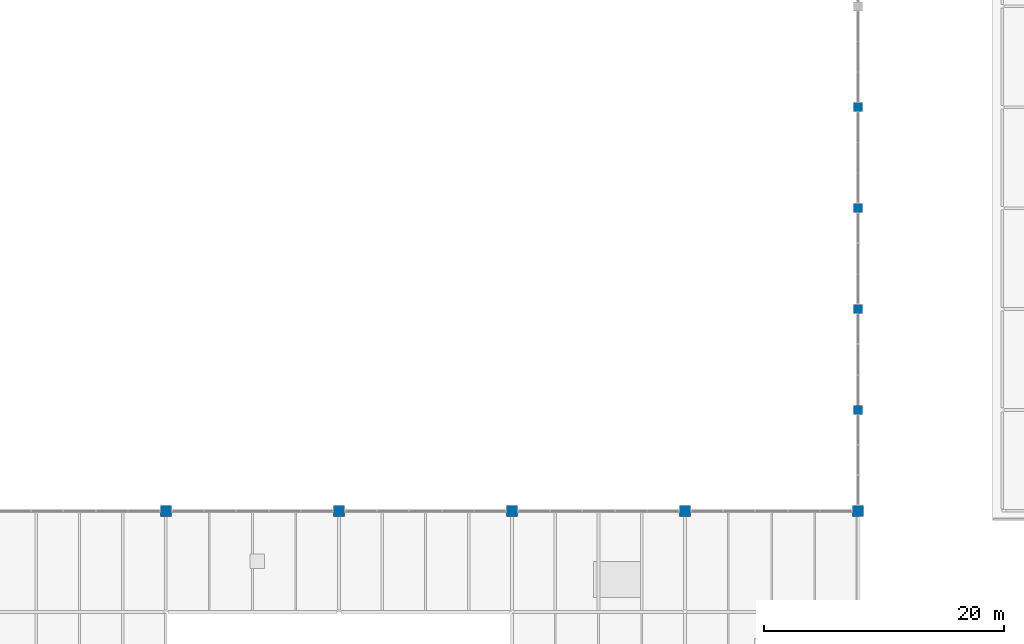
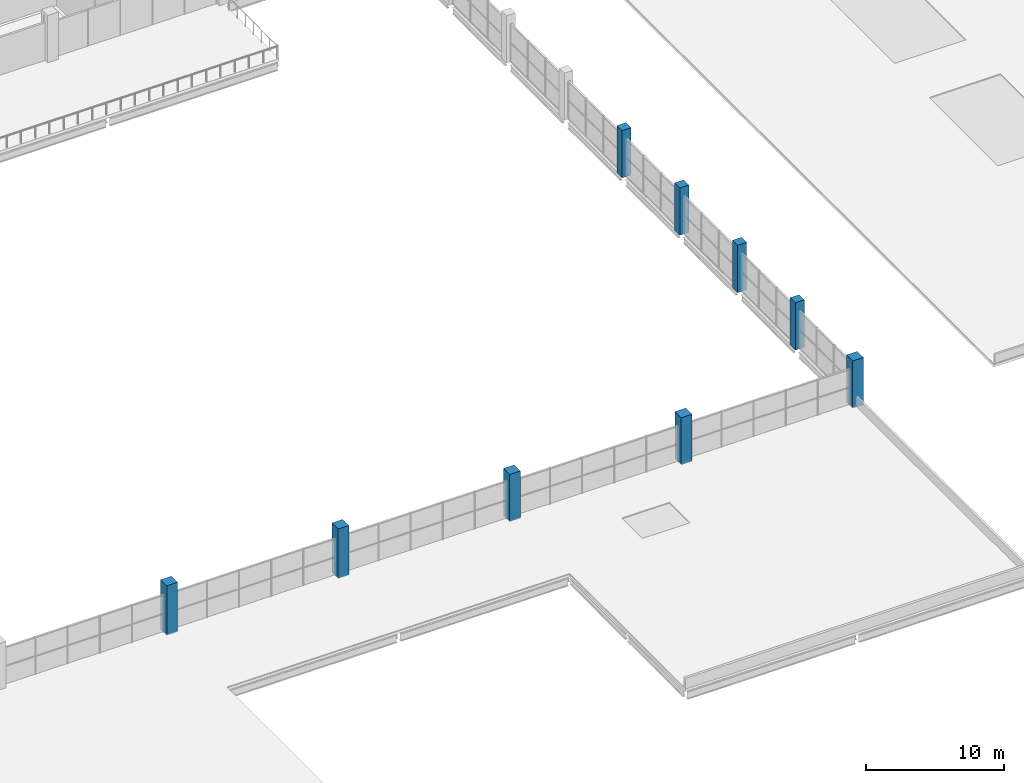
# One storey, part 3 of 93: 9 columns.
"""IFC4 building model written with IfcOpenShell, lengths in metres."""

from ifc_helpers import new_model, si_unit, direction, frame, origin, origin_2d, place, context, subcontext, project, spatial, rectangle, extrude, material, material_profile, profile_set, type_object, element, save


model = new_model("IFC4")

# Units and contexts
model_context = context("Model", 3, precision=1e-05, world=origin(), true_north=direction((0.0, 1.0)))
body_context = subcontext(model_context, "Body", "Model", "MODEL_VIEW")
ifc_project = project(units=[si_unit("LENGTHUNIT", "METRE"), si_unit("AREAUNIT", "SQUARE_METRE"), si_unit("VOLUMEUNIT", "CUBIC_METRE"), si_unit("PLANEANGLEUNIT", "RADIAN"), si_unit("MASSUNIT", "GRAM", prefix="KILO"), si_unit("THERMODYNAMICTEMPERATUREUNIT", "KELVIN")], contexts=[model_context])

# Site, building, storey
site_placement = place(None, origin())
site = spatial("IfcSite", under=ifc_project, at=site_placement, CompositionType="ELEMENT")
building_placement = place(site_placement, origin())
building = spatial("IfcBuilding", under=site, at=building_placement, Name="Nduvali Passage Aquatics Centre", CompositionType="ELEMENT")
storey_placement = place(building_placement, frame((0.0, 0.0, 9.0)))
storey = spatial("IfcBuildingStorey", under=building, at=storey_placement, Name="L02", CompositionType="ELEMENT", Elevation=9.0)

# Columns
ifc_material = material(Name="Concrete C40/50", Category="concrete")
ifc_material_profile_1 = material_profile(ifc_material, rectangle(XDim=0.75, YDim=0.75, at=origin_2d()), Name="RC 750x750")
ifc_profile_set_1 = profile_set([ifc_material_profile_1], Name="Concrete C40/50")
column_type_1 = type_object("IfcColumnType", Name="STR-COL-RC750-EXT", PredefinedType="COLUMN", material=ifc_profile_set_1)
for number, where, z_axis, x_axis, name in (
    (1, (126.0, 33.60009765625, 0.0), (0.0, 0.0, 1.0), (1.0, 0.0, 0.0), "L02 Column C2E (126.0, 33.6)"),
    (2, (126.0, 42.0, 0.0), (0.0, 0.0, 1.0), (1.0, 0.0, 0.0), "L02 Column C2E (126.0, 42.0)"),
    (3, (126.0, 50.39990234375, 0.0), (0.0, 0.0, 1.0), (1.0, 0.0, 0.0), "L02 Column C2E (126.0, 50.4)"),
    (4, (126.0, 58.800048828125, 0.0), (0.0, 0.0, 1.0), (1.0, 0.0, 0.0), "L02 Column C2E (126.0, 58.8)"),
):
    element("IfcColumn", number, at=place(storey_placement, frame(where, z_axis=z_axis, x_axis=x_axis)), inside=storey, type_object=column_type_1, Name=name, PredefinedType="COLUMN", context=body_context, shape_type="SweptSolid", body=[
        extrude(rectangle(XDim=0.75, YDim=0.75, at=origin_2d()), origin(), (0.0, 0.0, 1.0), 4.199951171875),
    ])
ifc_material_profile_2 = material_profile(ifc_material, rectangle(XDim=0.89990234375, YDim=0.89990234375, at=origin_2d()), Name="RC 900x900")
ifc_profile_set_2 = profile_set([ifc_material_profile_2], Name="Concrete C40/50")
column_type_2 = type_object("IfcColumnType", Name="STR-COL-RC900-EXT", PredefinedType="COLUMN", material=ifc_profile_set_2)
for number, where, z_axis, x_axis, name in (
    (5, (68.39990234375, 25.199951171875, 0.0), (0.0, 0.0, 1.0), (1.0, 0.0, 0.0), "L02 Column C1E (68.4, 25.2)"),
    (6, (82.800048828125, 25.199951171875, 0.0), (0.0, 0.0, 1.0), (1.0, 0.0, 0.0), "L02 Column C1E (82.8, 25.2)"),
):
    element("IfcColumn", number, at=place(storey_placement, frame(where, z_axis=z_axis, x_axis=x_axis)), inside=storey, type_object=column_type_2, Name=name, PredefinedType="COLUMN", context=body_context, shape_type="SweptSolid", body=[
        extrude(rectangle(XDim=0.89990234375, YDim=0.89990234375, at=origin_2d()), origin(), (0.0, 0.0, 1.0), 4.402587890625),
    ])
for number, where, z_axis, x_axis, name in (
    (7, (97.199951171875, 25.199951171875, 0.0), (0.0, 0.0, 1.0), (1.0, 0.0, 0.0), "L02 Column C1E (97.2, 25.2)"),
    (8, (111.60009765625, 25.199951171875, 0.0), (0.0, 0.0, 1.0), (1.0, 0.0, 0.0), "L02 Column C1E (111.6, 25.2)"),
    (9, (126.0, 25.199951171875, 0.0), (0.0, 0.0, 1.0), (1.0, 0.0, 0.0), "L02 Column C1E (126.0, 25.2)"),
):
    element("IfcColumn", number, at=place(storey_placement, frame(where, z_axis=z_axis, x_axis=x_axis)), inside=storey, type_object=column_type_2, Name=name, PredefinedType="COLUMN", context=body_context, shape_type="SweptSolid", body=[
        extrude(rectangle(XDim=0.89990234375, YDim=0.89990234375, at=origin_2d()), origin(), (0.0, 0.0, 1.0), 4.199951171875),
    ])

save(model, "model.ifc")
